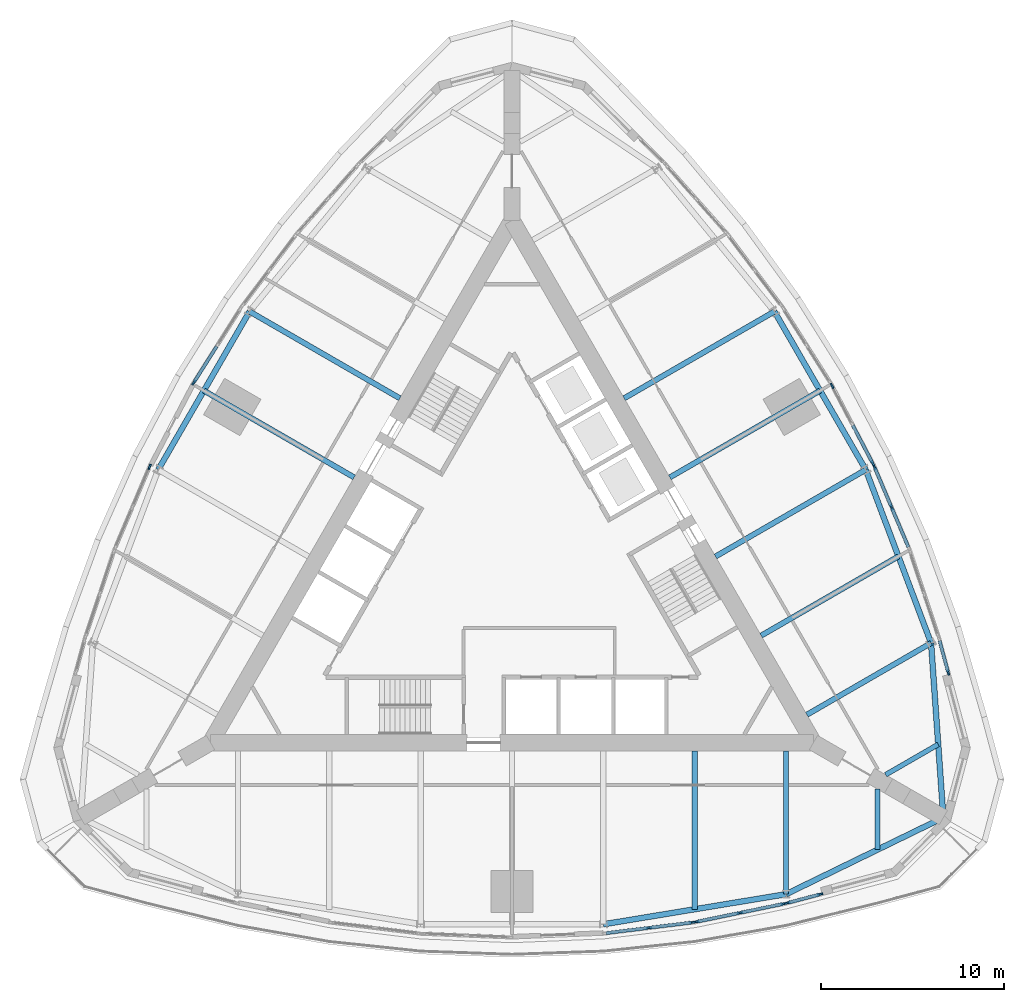
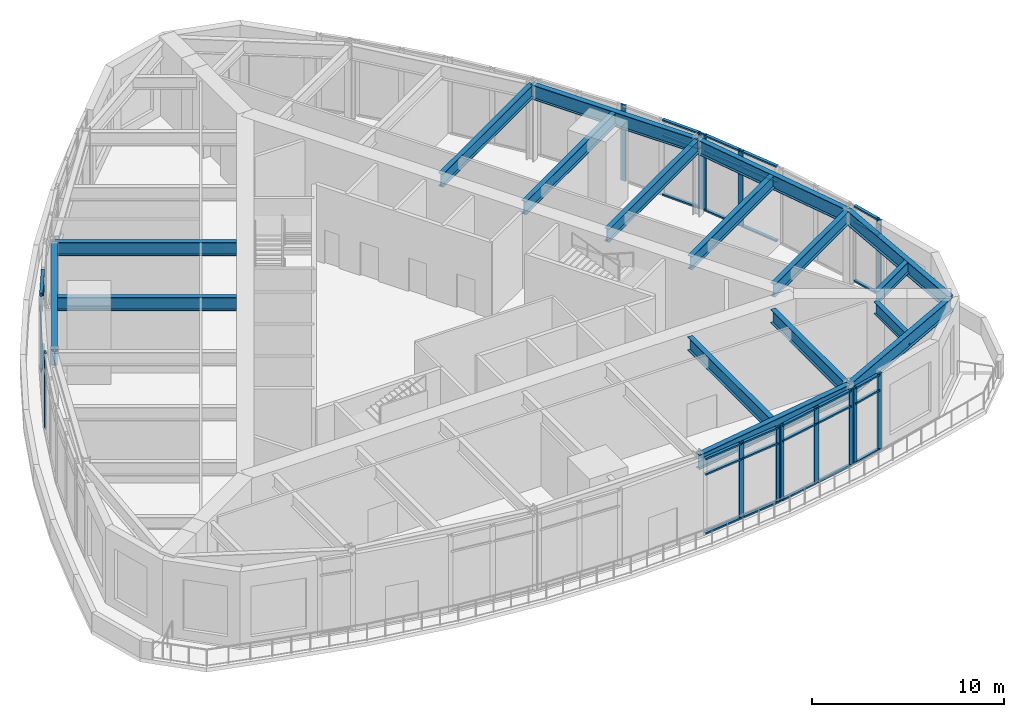
# One storey, part 3 of 13: 44 members, 17 beams, 8 elements without a shape of their own.
"""IFC4 building model written with IfcOpenShell, lengths in metres."""

from ifc_helpers import new_model, si_unit, direction, frame, origin, origin_2d, place, context, subcontext, project, spatial, rectangle, i_section, extrude, material, material_profile, profile_set, type_object, element, aggregate, save


model = new_model("IFC4")

# Units and contexts
model_context = context("Model", 3, precision=1e-05, world=origin(), true_north=direction((0.0, 1.0)))
body_context = subcontext(model_context, "Body", "Model", "MODEL_VIEW")
ifc_project = project(units=[si_unit("LENGTHUNIT", "METRE"), si_unit("AREAUNIT", "SQUARE_METRE"), si_unit("VOLUMEUNIT", "CUBIC_METRE"), si_unit("PLANEANGLEUNIT", "RADIAN"), si_unit("MASSUNIT", "GRAM", prefix="KILO")], contexts=[model_context])

# Site, building, storey
site_placement = place(None, origin())
site = spatial("IfcSite", under=ifc_project, at=site_placement, CompositionType="ELEMENT")
building_placement = place(site_placement, origin())
building = spatial("IfcBuilding", under=site, at=building_placement, Name="Trikona Tower", CompositionType="ELEMENT")
storey_placement = place(building_placement, frame((0.0, 0.0, 195.89990234375)))
storey = spatial("IfcBuildingStorey", under=building, at=storey_placement, Name="L52", CompositionType="ELEMENT", Elevation=195.89990234375)

# Curtain wall, members
ifc_material_1 = material(Name="Aluminium curtain wall system", Category="aluminium")
curtain_wall_type = type_object("IfcCurtainWallType", Name="Curtain wall SL", PredefinedType="NOTDEFINED", material=ifc_material_1)
curtain_wall_1_placement = place(storey_placement, origin())
curtain_wall_1 = element("IfcCurtainWall", 1, at=curtain_wall_1_placement, inside=storey, type_object=curtain_wall_type, Name="Curtain wall SL L52", PredefinedType="NOTDEFINED")
ifc_material_2 = material(Name="Aluminium mullion, pale anodised", Category="aluminium")
ifc_material_profile_1 = material_profile(ifc_material_2, rectangle(XDim=0.10009765625, YDim=0.300048828125, at=origin_2d()), Name="MUL-SL")
ifc_profile_set_1 = profile_set([ifc_material_profile_1], Name="Aluminium mullion, pale anodised")
member_type_1 = type_object("IfcMemberType", Name="Mullion SL 100x300", PredefinedType="MULLION", material=ifc_profile_set_1)
member_1_placement = place(storey_placement, frame((7.48779296875, -19.663818359375, 0.0), z_axis=(0.0, 0.0, 1.0), x_axis=(-0.122610640458, 0.992454850785, 0.0)))
member_1 = element("IfcMember", 2, at=member_1_placement, type_object=member_type_1, Name="CW-SL mullion 2", PredefinedType="MULLION", context=body_context, shape_type="SweptSolid", body=[
    extrude(rectangle(XDim=0.10009765625, YDim=0.300048828125, at=origin_2d()), origin(), (0.0, 0.0, 1.0), 4.835205078125),
])
member_2_placement = place(storey_placement, frame((9.878662109375, -19.36865234375, 0.0), z_axis=(0.0, 0.0, 1.0), x_axis=(-0.122610640458, 0.992454850785, 0.0)))
member_2 = element("IfcMember", 3, at=member_2_placement, type_object=member_type_1, Name="CW-SL mullion 3", PredefinedType="MULLION", context=body_context, shape_type="SweptSolid", body=[
    extrude(rectangle(XDim=0.10009765625, YDim=0.300048828125, at=origin_2d()), origin(), (0.0, 0.0, 1.0), 4.835205078125),
])

curtain_wall_2_placement = place(storey_placement, origin())
curtain_wall_2 = element("IfcCurtainWall", 4, at=curtain_wall_2_placement, inside=storey, type_object=curtain_wall_type, Name="Curtain wall SL L52", PredefinedType="NOTDEFINED")
member_3_placement = place(storey_placement, frame((10.087646484375, -19.334228515625, 0.0), z_axis=(0.0, 0.0, 1.0), x_axis=(-0.2016489585, 0.979457858989, 0.0)))
member_3 = element("IfcMember", 5, at=member_3_placement, type_object=member_type_1, Name="CW-SL mullion 1", PredefinedType="MULLION", context=body_context, shape_type="SweptSolid", body=[
    extrude(rectangle(XDim=0.10009765625, YDim=0.300048828125, at=origin_2d()), origin(), (0.0, 0.0, 1.0), 4.835205078125),
])
member_4_placement = place(storey_placement, frame((12.479736328125, -18.841796875, 0.0), z_axis=(0.0, 0.0, 1.0), x_axis=(-0.2016489585, 0.979457858989, 0.0)))
member_4 = element("IfcMember", 6, at=member_4_placement, type_object=member_type_1, Name="CW-SL mullion 2", PredefinedType="MULLION", context=body_context, shape_type="SweptSolid", body=[
    extrude(rectangle(XDim=0.10009765625, YDim=0.300048828125, at=origin_2d()), origin(), (0.0, 0.0, 1.0), 4.835205078125),
])
member_5_placement = place(storey_placement, frame((14.8720703125, -18.34912109375, 0.0), z_axis=(0.0, 0.0, 1.0), x_axis=(-0.2016489585, 0.979457858989, 0.0)))
member_5 = element("IfcMember", 7, at=member_5_placement, type_object=member_type_1, Name="CW-SL mullion 3", PredefinedType="MULLION", context=body_context, shape_type="SweptSolid", body=[
    extrude(rectangle(XDim=0.10009765625, YDim=0.300048828125, at=origin_2d()), origin(), (0.0, 0.0, 1.0), 4.835205078125),
])

curtain_wall_3_placement = place(storey_placement, origin())
curtain_wall_3 = element("IfcCurtainWall", 8, at=curtain_wall_3_placement, inside=storey, type_object=curtain_wall_type, Name="Curtain wall SL L52", PredefinedType="NOTDEFINED")
member_6_placement = place(storey_placement, frame((15.080810546875, -18.300048828125, 0.0), z_axis=(0.0, 0.0, 1.0), x_axis=(-0.25478635579, 0.966997369647, 0.0)))
member_6 = element("IfcMember", 9, at=member_6_placement, type_object=member_type_1, Name="CW-SL mullion 1", PredefinedType="MULLION", context=body_context, shape_type="SweptSolid", body=[
    extrude(rectangle(XDim=0.10009765625, YDim=0.300048828125, at=origin_2d()), origin(), (0.0, 0.0, 1.0), 4.835205078125),
])
member_7_placement = place(storey_placement, frame((16.8681640625, -17.829345703125, 0.0), z_axis=(0.0, 0.0, 1.0), x_axis=(-0.25478635579, 0.966997369647, 0.0)))
member_7 = element("IfcMember", 10, at=member_7_placement, type_object=member_type_1, Name="CW-SL mullion 2", PredefinedType="MULLION", context=body_context, shape_type="SweptSolid", body=[
    extrude(rectangle(XDim=0.10009765625, YDim=0.300048828125, at=origin_2d()), origin(), (0.0, 0.0, 1.0), 4.835205078125),
])

# Curtain wall, member
curtain_wall_4_placement = place(storey_placement, origin())
curtain_wall_4 = element("IfcCurtainWall", 11, at=curtain_wall_4_placement, inside=storey, type_object=curtain_wall_type, Name="Curtain wall SL L52", PredefinedType="NOTDEFINED")
member_8_placement = place(storey_placement, frame((23.87451171875, -5.693603515625, 0.0), z_axis=(0.0, 0.0, 1.0), x_axis=(-0.964851419019, -0.262796003047, 0.0)))
member_8 = element("IfcMember", 12, at=member_8_placement, type_object=member_type_1, Name="CW-SL mullion 1", PredefinedType="MULLION", context=body_context, shape_type="SweptSolid", body=[
    extrude(rectangle(XDim=0.10009765625, YDim=0.300048828125, at=origin_2d()), origin(), (0.0, 0.0, 1.0), 4.835205078125),
])

# Curtain wall, members
curtain_wall_5_placement = place(storey_placement, origin())
curtain_wall_5 = element("IfcCurtainWall", 13, at=curtain_wall_5_placement, inside=storey, type_object=curtain_wall_type, Name="Curtain wall SL L52", PredefinedType="NOTDEFINED")
member_9_placement = place(storey_placement, frame((20.773193359375, 3.347412109375, 0.0), z_axis=(0.0, 0.0, 1.0), x_axis=(-0.920792322808, -0.390053199266, 0.0)))
member_9 = element("IfcMember", 14, at=member_9_placement, type_object=member_type_1, Name="CW-SL mullion 2", PredefinedType="MULLION", context=body_context, shape_type="SweptSolid", body=[
    extrude(rectangle(XDim=0.10009765625, YDim=0.300048828125, at=origin_2d()), origin(), (0.0, 0.0, 1.0), 4.835205078125),
])
member_10_placement = place(storey_placement, frame((19.83349609375, 5.565673828125, 0.0), z_axis=(0.0, 0.0, 1.0), x_axis=(-0.920792322808, -0.390053199266, 0.0)))
member_10 = element("IfcMember", 15, at=member_10_placement, type_object=member_type_1, Name="CW-SL mullion 3", PredefinedType="MULLION", context=body_context, shape_type="SweptSolid", body=[
    extrude(rectangle(XDim=0.10009765625, YDim=0.300048828125, at=origin_2d()), origin(), (0.0, 0.0, 1.0), 4.835205078125),
])

curtain_wall_6_placement = place(storey_placement, origin())
curtain_wall_6 = element("IfcCurtainWall", 16, at=curtain_wall_6_placement, inside=storey, type_object=curtain_wall_type, Name="Curtain wall SL L52", PredefinedType="NOTDEFINED")
member_11_placement = place(storey_placement, frame((19.7431640625, 5.757080078125, 0.0), z_axis=(0.0, 0.0, 1.0), x_axis=(-0.885862390527, -0.463948084434, 0.0)))
member_11 = element("IfcMember", 17, at=member_11_placement, type_object=member_type_1, Name="CW-SL mullion 1", PredefinedType="MULLION", context=body_context, shape_type="SweptSolid", body=[
    extrude(rectangle(XDim=0.10009765625, YDim=0.300048828125, at=origin_2d()), origin(), (0.0, 0.0, 1.0), 4.835205078125),
])
member_12_placement = place(storey_placement, frame((17.523681640625, 9.9951171875, 0.0), z_axis=(0.0, 0.0, 1.0), x_axis=(-0.885862390527, -0.463948084434, 0.0)))
member_12 = element("IfcMember", 18, at=member_12_placement, type_object=member_type_1, Name="CW-SL mullion 3", PredefinedType="MULLION", context=body_context, shape_type="SweptSolid", body=[
    extrude(rectangle(XDim=0.10009765625, YDim=0.300048828125, at=origin_2d()), origin(), (0.0, 0.0, 1.0), 4.835205078125),
])

# Curtain wall, member
curtain_wall_7_placement = place(storey_placement, origin())
curtain_wall_7 = element("IfcCurtainWall", 19, at=curtain_wall_7_placement, inside=storey, type_object=curtain_wall_type, Name="Curtain wall SL L52", PredefinedType="NOTDEFINED")
member_13_placement = place(storey_placement, frame((-17.417724609375, 10.17822265625, 0.0), z_axis=(0.0, 0.0, 1.0), x_axis=(0.84471787551, -0.535211837308, 0.0)))
member_13 = element("IfcMember", 20, at=member_13_placement, type_object=member_type_1, Name="CW-SL mullion 3", PredefinedType="MULLION", context=body_context, shape_type="SweptSolid", body=[
    extrude(rectangle(XDim=0.10009765625, YDim=0.300048828125, at=origin_2d()), origin(), (0.0, 0.0, 1.0), 4.835205078125),
])

curtain_wall_8_placement = place(storey_placement, origin())
curtain_wall_8 = element("IfcCurtainWall", 21, at=curtain_wall_8_placement, inside=storey, type_object=curtain_wall_type, Name="Curtain wall SL L52", PredefinedType="NOTDEFINED")
member_14_placement = place(storey_placement, frame((-19.83349609375, 5.565673828125, 0.0), z_axis=(0.0, 0.0, 1.0), x_axis=(0.920792322808, -0.390053199266, 0.0)))
member_14 = element("IfcMember", 22, at=member_14_placement, type_object=member_type_1, Name="CW-SL mullion 1", PredefinedType="MULLION", context=body_context, shape_type="SweptSolid", body=[
    extrude(rectangle(XDim=0.10009765625, YDim=0.300048828125, at=origin_2d()), origin(), (0.0, 0.0, 1.0), 4.835205078125),
])
aggregate(curtain_wall_8, [member_14])

# Beams
ifc_material_3 = material(Name="Steel ASTM A992 Grade 50", Category="steel")
ifc_material_profile_2 = material_profile(ifc_material_3, i_section(OverallWidth=0.2666015625, OverallDepth=0.76953125, WebThickness=0.015625, FlangeThickness=0.025390625, at=origin_2d()), Name="W30X132")
ifc_profile_set_2 = profile_set([ifc_material_profile_2], Name="Steel ASTM A992 Grade 50")
beam_type_1 = type_object("IfcBeamType", Name="Steel beam W30x132 (wedge)", PredefinedType="BEAM", material=ifc_profile_set_2)
beam_1_placement = place(storey_placement, frame((20.0, -12.066650390625, 4.4501953125), z_axis=(0.0, -1.0, 0.0), x_axis=(1.0, 0.0, 0.0)))
element("IfcBeam", 23, at=beam_1_placement, inside=storey, type_object=beam_type_1, Name="Floor beam L53 F1 u20", PredefinedType="BEAM", context=body_context, shape_type="SweptSolid", body=[
    extrude(i_section(OverallWidth=0.2666015625, OverallDepth=0.76953125, WebThickness=0.015625, FlangeThickness=0.025390625, at=origin_2d()), origin(), (0.0, 0.0, 1.0), 3.322998046875),
])
beam_2_placement = place(storey_placement, frame((20.449951171875, -11.287109375, 4.4501953125), z_axis=(0.866019199568, 0.500010745865, 0.0), x_axis=(-0.500010745865, 0.866019199568, 0.0)))
element("IfcBeam", 24, at=beam_2_placement, inside=storey, type_object=beam_type_1, Name="Floor beam L53 F2 u-20", PredefinedType="BEAM", context=body_context, shape_type="SweptSolid", body=[
    extrude(i_section(OverallWidth=0.2666015625, OverallDepth=0.76953125, WebThickness=0.015625, FlangeThickness=0.025390625, at=origin_2d()), origin(), (0.0, 0.0, 1.0), 3.3232421875),
])
ifc_material_4 = material(Name="Steel ASTM A992 Grade 50", Category="steel")
ifc_material_profile_3 = material_profile(ifc_material_4, i_section(OverallWidth=0.2919921875, OverallDepth=0.845703125, WebThickness=0.015380859375, FlangeThickness=0.0244140625, at=origin_2d()), Name="W33X141")
ifc_profile_set_3 = profile_set([ifc_material_profile_3], Name="Steel ASTM A992 Grade 50")
beam_type_2 = type_object("IfcBeamType", Name="Steel beam W33x141 (radial typ)", PredefinedType="BEAM", material=ifc_profile_set_3)
beam_3_placement = place(storey_placement, frame((10.0, -9.976318359375, 4.412109375), z_axis=(0.0, -1.0, 0.0), x_axis=(1.0, 0.0, 0.0)))
element("IfcBeam", 25, at=beam_3_placement, inside=storey, type_object=beam_type_2, Name="Floor beam L53 F1 u10", PredefinedType="BEAM", context=body_context, shape_type="SweptSolid", body=[
    extrude(i_section(OverallWidth=0.2919921875, OverallDepth=0.845703125, WebThickness=0.015380859375, FlangeThickness=0.0244140625, at=origin_2d()), origin(), (0.0, 0.0, 1.0), 8.672119140625),
])
for number, where, z_axis, x_axis, name in (
    (26, (15.0, -9.976318359375, 4.412109375), (0.0, -1.0, 0.0), (1.0, 0.0, 0.0), "Floor beam L53 F1 u15"),
    (27, (16.1396484375, -8.002197265625, 4.412109375), (0.866025522914, 0.499999793661, 0.0), (-0.499999793661, 0.866025522914, 0.0), "Floor beam L53 F2 u-15"),
):
    element("IfcBeam", number, at=place(storey_placement, frame(where, z_axis=z_axis, x_axis=x_axis)), inside=storey, type_object=beam_type_2, Name=name, PredefinedType="BEAM", context=body_context, shape_type="SweptSolid", body=[
        extrude(i_section(OverallWidth=0.2919921875, OverallDepth=0.845703125, WebThickness=0.015380859375, FlangeThickness=0.0244140625, at=origin_2d()), origin(), (0.0, 0.0, 1.0), 7.8486328125),
    ])
beam_4_placement = place(storey_placement, frame((13.6396484375, -3.672119140625, 4.412109375), z_axis=(0.866018686634, 0.500011634266, 0.0), x_axis=(-0.500011634266, 0.866018686634, 0.0)))
element("IfcBeam", 28, at=beam_4_placement, inside=storey, type_object=beam_type_2, Name="Floor beam L53 F2 u-10", PredefinedType="BEAM", context=body_context, shape_type="SweptSolid", body=[
    extrude(i_section(OverallWidth=0.2919921875, OverallDepth=0.845703125, WebThickness=0.015380859375, FlangeThickness=0.0244140625, at=origin_2d()), origin(), (0.0, 0.0, 1.0), 8.672119140625),
])
for number, where, z_axis, x_axis, name in (
    (29, (11.1396484375, 0.657958984375, 4.412109375), (0.866019464008, 0.500010287853, 0.0), (-0.500010287853, 0.866019464008, 0.0), "Floor beam L53 F2 u-5"),
    (30, (8.6396484375, 4.988037109375, 4.412109375), (0.866019464008, 0.500010287853, 0.0), (-0.500010287853, 0.866019464008, 0.0), "Floor beam L53 F2 u0"),
    (31, (6.1396484375, 9.318359375, 4.412109375), (0.866030596895, 0.49999100516, 0.0), (-0.49999100516, 0.866030596895, 0.0), "Floor beam L53 F2 u5"),
    (32, (-6.1396484375, 9.318359375, 4.412109375), (-0.866030596895, 0.49999100516, 0.0), (-0.49999100516, -0.866030596895, 0.0), "Floor beam L53 F3 u-5"),
    (33, (-8.6396484375, 4.988037109375, 4.412109375), (-0.866019464008, 0.500010287853, 0.0), (-0.500010287853, -0.866019464008, 0.0), "Floor beam L53 F3 u0"),
):
    element("IfcBeam", number, at=place(storey_placement, frame(where, z_axis=z_axis, x_axis=x_axis)), inside=storey, type_object=beam_type_2, Name=name, PredefinedType="BEAM", context=body_context, shape_type="SweptSolid", body=[
        extrude(i_section(OverallWidth=0.2919921875, OverallDepth=0.845703125, WebThickness=0.015380859375, FlangeThickness=0.0244140625, at=origin_2d()), origin(), (0.0, 0.0, 1.0), 9.495849609375),
    ])
ifc_material_5 = material(Name="Steel ASTM A992 Grade 50", Category="steel")
ifc_material_profile_4 = material_profile(ifc_material_5, i_section(OverallWidth=0.307373046875, OverallDepth=0.922119140625, WebThickness=0.018310546875, FlangeThickness=0.030029296875, at=origin_2d()), Name="W36X182")
ifc_profile_set_4 = profile_set([ifc_material_profile_4], Name="Steel ASTM A992 Grade 50")
beam_type_3 = type_object("IfcBeamType", Name="Steel beam W36x182 (spandrel mid)", PredefinedType="SPANDREL", material=ifc_profile_set_4)
beam_5_placement = place(storey_placement, frame((5.0, -19.471923828125, 4.3740234375), z_axis=(0.986707228918, 0.162507982575, 0.0), x_axis=(-0.162507982575, 0.986707228918, 0.0)))
element("IfcBeam", 34, at=beam_5_placement, inside=storey, type_object=beam_type_3, Name="Spandrel beam L53 F1-4", PredefinedType="SPANDREL", context=body_context, shape_type="SweptSolid", body=[
    extrude(i_section(OverallWidth=0.307373046875, OverallDepth=0.922119140625, WebThickness=0.018310546875, FlangeThickness=0.030029296875, at=origin_2d()), origin(), (0.0, 0.0, 1.0), 10.134765625),
])
beam_6_placement = place(storey_placement, frame((15.0, -17.824951171875, 4.3740234375), z_axis=(0.899038503257, 0.437869580652, 0.0), x_axis=(-0.437869580652, 0.899038503257, 0.0)))
element("IfcBeam", 35, at=beam_6_placement, inside=storey, type_object=beam_type_3, Name="Spandrel beam L53 F1-5", PredefinedType="SPANDREL", context=body_context, shape_type="SweptSolid", body=[
    extrude(i_section(OverallWidth=0.307373046875, OverallDepth=0.922119140625, WebThickness=0.018310546875, FlangeThickness=0.030029296875, at=origin_2d()), origin(), (0.0, 0.0, 1.0), 9.577392578125),
])
beam_7_placement = place(storey_placement, frame((23.6103515625, -13.63134765625, 4.3740234375), z_axis=(-0.07033215835, 0.997523627541, 0.0), x_axis=(-0.997523627541, -0.07033215835, 0.0)))
element("IfcBeam", 36, at=beam_7_placement, inside=storey, type_object=beam_type_3, Name="Spandrel beam L53 F2-1", PredefinedType="SPANDREL", context=body_context, shape_type="SweptSolid", body=[
    extrude(i_section(OverallWidth=0.307373046875, OverallDepth=0.922119140625, WebThickness=0.018310546875, FlangeThickness=0.030029296875, at=origin_2d()), origin(), (0.0, 0.0, 1.0), 9.5771484375),
])
beam_8_placement = place(storey_placement, frame((22.936767578125, -4.077880859375, 4.3740234375), z_axis=(-0.352596088442, 0.935775613283, 0.0), x_axis=(-0.935775613283, -0.352596088442, 0.0)))
element("IfcBeam", 37, at=beam_8_placement, inside=storey, type_object=beam_type_3, Name="Spandrel beam L53 F2-2", PredefinedType="SPANDREL", context=body_context, shape_type="SweptSolid", body=[
    extrude(i_section(OverallWidth=0.307373046875, OverallDepth=0.922119140625, WebThickness=0.018310546875, FlangeThickness=0.030029296875, at=origin_2d()), origin(), (0.0, 0.0, 1.0), 10.134765625),
])
for number, where, z_axis, x_axis, name in (
    (38, (19.36328125, 5.406005859375, 4.3740234375), (-0.500004234368, 0.866022959057, 0.0), (-0.866022959057, -0.500004234368, 0.0), "Spandrel beam L53 F2-3"),
    (39, (-14.36328125, 14.066162109375, 4.3740234375), (-0.500004234368, -0.866022959057, 0.0), (0.866022959057, -0.500004234368, 0.0), "Spandrel beam L53 F3-3"),
):
    element("IfcBeam", number, at=place(storey_placement, frame(where, z_axis=z_axis, x_axis=x_axis)), inside=storey, type_object=beam_type_3, Name=name, PredefinedType="SPANDREL", context=body_context, shape_type="SweptSolid", body=[
        extrude(i_section(OverallWidth=0.307373046875, OverallDepth=0.922119140625, WebThickness=0.018310546875, FlangeThickness=0.030029296875, at=origin_2d()), origin(), (0.0, 0.0, 1.0), 10.0),
    ])

# Member
ifc_material_6 = material(Name="Aluminium transom, pale anodised", Category="aluminium")
ifc_material_profile_5 = material_profile(ifc_material_6, rectangle(XDim=0.179931640625, YDim=0.10009765625, at=origin_2d()), Name="TRN-SL")
ifc_profile_set_5 = profile_set([ifc_material_profile_5], Name="Aluminium transom, pale anodised")
member_type_2 = type_object("IfcMemberType", Name="Transom SL 100x180", PredefinedType="USERDEFINED", material=ifc_profile_set_5)
member_15_placement = place(storey_placement, frame((5.146484375, -19.953125, 0.050048828125), z_axis=(0.99245094131, 0.122642281018, 0.0), x_axis=(-0.122642281018, 0.99245094131, 0.0)))
member_15 = element("IfcMember", 40, at=member_15_placement, type_object=member_type_2, Name="CW-SL transom 1.1", ObjectType="TRANSOM", PredefinedType="USERDEFINED", context=body_context, shape_type="SweptSolid", body=[
    extrude(rectangle(XDim=0.179931640625, YDim=0.10009765625, at=origin_2d()), origin(), (0.0, 0.0, 1.0), 2.30908203125),
])

member_16_placement = place(storey_placement, frame((5.146484375, -19.953125, 3.800048828125), z_axis=(0.99245094131, 0.122642281018, 0.0), x_axis=(-0.122642281018, 0.99245094131, 0.0)))
member_16 = element("IfcMember", 41, at=member_16_placement, type_object=member_type_2, Name="CW-SL transom 1.2", ObjectType="TRANSOM", PredefinedType="USERDEFINED", context=body_context, shape_type="SweptSolid", body=[
    extrude(rectangle(XDim=0.179931640625, YDim=0.10009765625, at=origin_2d()), origin(), (0.0, 0.0, 1.0), 2.30908203125),
])

member_17_placement = place(storey_placement, frame((5.146484375, -19.953125, 4.78515625), z_axis=(0.99245094131, 0.122642281018, 0.0), x_axis=(-0.122642281018, 0.99245094131, 0.0)))
member_17 = element("IfcMember", 42, at=member_17_placement, type_object=member_type_2, Name="CW-SL transom 1.3", ObjectType="TRANSOM", PredefinedType="USERDEFINED", context=body_context, shape_type="SweptSolid", body=[
    extrude(rectangle(XDim=0.179931640625, YDim=0.10009765625, at=origin_2d()), origin(), (0.0, 0.0, 1.0), 2.30908203125),
])

member_18_placement = place(storey_placement, frame((7.537353515625, -19.65771484375, 0.050048828125), z_axis=(0.992462216808, 0.12255100248, 0.0), x_axis=(-0.12255100248, 0.992462216808, 0.0)))
member_18 = element("IfcMember", 43, at=member_18_placement, type_object=member_type_2, Name="CW-SL transom 2.1", ObjectType="TRANSOM", PredefinedType="USERDEFINED", context=body_context, shape_type="SweptSolid", body=[
    extrude(rectangle(XDim=0.179931640625, YDim=0.10009765625, at=origin_2d()), origin(), (0.0, 0.0, 1.0), 2.308837890625),
])

member_19_placement = place(storey_placement, frame((7.537353515625, -19.65771484375, 3.800048828125), z_axis=(0.992462216808, 0.12255100248, 0.0), x_axis=(-0.12255100248, 0.992462216808, 0.0)))
member_19 = element("IfcMember", 44, at=member_19_placement, type_object=member_type_2, Name="CW-SL transom 2.2", ObjectType="TRANSOM", PredefinedType="USERDEFINED", context=body_context, shape_type="SweptSolid", body=[
    extrude(rectangle(XDim=0.179931640625, YDim=0.10009765625, at=origin_2d()), origin(), (0.0, 0.0, 1.0), 2.308837890625),
])

member_20_placement = place(storey_placement, frame((7.537353515625, -19.65771484375, 4.78515625), z_axis=(0.992462216808, 0.12255100248, 0.0), x_axis=(-0.12255100248, 0.992462216808, 0.0)))
member_20 = element("IfcMember", 45, at=member_20_placement, type_object=member_type_2, Name="CW-SL transom 2.3", ObjectType="TRANSOM", PredefinedType="USERDEFINED", context=body_context, shape_type="SweptSolid", body=[
    extrude(rectangle(XDim=0.179931640625, YDim=0.10009765625, at=origin_2d()), origin(), (0.0, 0.0, 1.0), 2.308837890625),
])

aggregate(curtain_wall_1, [member_1, member_2, member_15, member_16, member_17, member_18, member_19, member_20])

member_21_placement = place(storey_placement, frame((10.136474609375, -19.32421875, 0.050048828125), z_axis=(0.979454621489, 0.201664683186, 0.0), x_axis=(-0.201664683186, 0.979454621489, 0.0)))
member_21 = element("IfcMember", 46, at=member_21_placement, type_object=member_type_2, Name="CW-SL transom 1.1", ObjectType="TRANSOM", PredefinedType="USERDEFINED", context=body_context, shape_type="SweptSolid", body=[
    extrude(rectangle(XDim=0.179931640625, YDim=0.10009765625, at=origin_2d()), origin(), (0.0, 0.0, 1.0), 2.342529296875),
])

member_22_placement = place(storey_placement, frame((10.136474609375, -19.32421875, 3.800048828125), z_axis=(0.979454621489, 0.201664683186, 0.0), x_axis=(-0.201664683186, 0.979454621489, 0.0)))
member_22 = element("IfcMember", 47, at=member_22_placement, type_object=member_type_2, Name="CW-SL transom 1.2", ObjectType="TRANSOM", PredefinedType="USERDEFINED", context=body_context, shape_type="SweptSolid", body=[
    extrude(rectangle(XDim=0.179931640625, YDim=0.10009765625, at=origin_2d()), origin(), (0.0, 0.0, 1.0), 2.342529296875),
])

member_23_placement = place(storey_placement, frame((10.136474609375, -19.32421875, 4.78515625), z_axis=(0.979454621489, 0.201664683186, 0.0), x_axis=(-0.201664683186, 0.979454621489, 0.0)))
member_23 = element("IfcMember", 48, at=member_23_placement, type_object=member_type_2, Name="CW-SL transom 1.3", ObjectType="TRANSOM", PredefinedType="USERDEFINED", context=body_context, shape_type="SweptSolid", body=[
    extrude(rectangle(XDim=0.179931640625, YDim=0.10009765625, at=origin_2d()), origin(), (0.0, 0.0, 1.0), 2.342529296875),
])

member_24_placement = place(storey_placement, frame((12.52880859375, -18.83154296875, 0.050048828125), z_axis=(0.979475202395, 0.201564699025, 0.0), x_axis=(-0.201564699025, 0.979475202395, 0.0)))
member_24 = element("IfcMember", 49, at=member_24_placement, type_object=member_type_2, Name="CW-SL transom 2.1", ObjectType="TRANSOM", PredefinedType="USERDEFINED", context=body_context, shape_type="SweptSolid", body=[
    extrude(rectangle(XDim=0.179931640625, YDim=0.10009765625, at=origin_2d()), origin(), (0.0, 0.0, 1.0), 2.342529296875),
])

member_25_placement = place(storey_placement, frame((12.52880859375, -18.83154296875, 3.800048828125), z_axis=(0.979475202395, 0.201564699025, 0.0), x_axis=(-0.201564699025, 0.979475202395, 0.0)))
member_25 = element("IfcMember", 50, at=member_25_placement, type_object=member_type_2, Name="CW-SL transom 2.2", ObjectType="TRANSOM", PredefinedType="USERDEFINED", context=body_context, shape_type="SweptSolid", body=[
    extrude(rectangle(XDim=0.179931640625, YDim=0.10009765625, at=origin_2d()), origin(), (0.0, 0.0, 1.0), 2.342529296875),
])

member_26_placement = place(storey_placement, frame((12.52880859375, -18.83154296875, 4.78515625), z_axis=(0.979475202395, 0.201564699025, 0.0), x_axis=(-0.201564699025, 0.979475202395, 0.0)))
member_26 = element("IfcMember", 51, at=member_26_placement, type_object=member_type_2, Name="CW-SL transom 2.3", ObjectType="TRANSOM", PredefinedType="USERDEFINED", context=body_context, shape_type="SweptSolid", body=[
    extrude(rectangle(XDim=0.179931640625, YDim=0.10009765625, at=origin_2d()), origin(), (0.0, 0.0, 1.0), 2.342529296875),
])

aggregate(curtain_wall_2, [member_3, member_4, member_5, member_21, member_22, member_23, member_24, member_25, member_26])

member_27_placement = place(storey_placement, frame((15.129150390625, -18.287353515625, 0.050048828125), z_axis=(0.967018440068, 0.25470637324, 0.0), x_axis=(-0.25470637324, 0.967018440068, 0.0)))
member_27 = element("IfcMember", 52, at=member_27_placement, type_object=member_type_2, Name="CW-SL transom 1.1", ObjectType="TRANSOM", PredefinedType="USERDEFINED", context=body_context, shape_type="SweptSolid", body=[
    extrude(rectangle(XDim=0.179931640625, YDim=0.10009765625, at=origin_2d()), origin(), (0.0, 0.0, 1.0), 1.748291015625),
])

member_28_placement = place(storey_placement, frame((15.129150390625, -18.287353515625, 3.800048828125), z_axis=(0.967018440068, 0.25470637324, 0.0), x_axis=(-0.25470637324, 0.967018440068, 0.0)))
member_28 = element("IfcMember", 53, at=member_28_placement, type_object=member_type_2, Name="CW-SL transom 1.2", ObjectType="TRANSOM", PredefinedType="USERDEFINED", context=body_context, shape_type="SweptSolid", body=[
    extrude(rectangle(XDim=0.179931640625, YDim=0.10009765625, at=origin_2d()), origin(), (0.0, 0.0, 1.0), 1.748291015625),
])

member_29_placement = place(storey_placement, frame((15.129150390625, -18.287353515625, 4.78515625), z_axis=(0.967018440068, 0.25470637324, 0.0), x_axis=(-0.25470637324, 0.967018440068, 0.0)))
member_29 = element("IfcMember", 54, at=member_29_placement, type_object=member_type_2, Name="CW-SL transom 1.3", ObjectType="TRANSOM", PredefinedType="USERDEFINED", context=body_context, shape_type="SweptSolid", body=[
    extrude(rectangle(XDim=0.179931640625, YDim=0.10009765625, at=origin_2d()), origin(), (0.0, 0.0, 1.0), 1.748291015625),
])

aggregate(curtain_wall_3, [member_6, member_7, member_27, member_28, member_29])

member_30_placement = place(storey_placement, frame((23.861328125, -5.6455078125, 0.050048828125), z_axis=(-0.262656574771, 0.964889384194, 0.0), x_axis=(-0.964889384194, -0.262656574771, 0.0)))
member_30 = element("IfcMember", 55, at=member_30_placement, type_object=member_type_2, Name="CW-SL transom 1.1", ObjectType="TRANSOM", PredefinedType="USERDEFINED", context=body_context, shape_type="SweptSolid", body=[
    extrude(rectangle(XDim=0.179931640625, YDim=0.10009765625, at=origin_2d()), origin(), (0.0, 0.0, 1.0), 1.748291015625),
])

member_31_placement = place(storey_placement, frame((23.861328125, -5.6455078125, 3.800048828125), z_axis=(-0.262656574771, 0.964889384194, 0.0), x_axis=(-0.964889384194, -0.262656574771, 0.0)))
member_31 = element("IfcMember", 56, at=member_31_placement, type_object=member_type_2, Name="CW-SL transom 1.2", ObjectType="TRANSOM", PredefinedType="USERDEFINED", context=body_context, shape_type="SweptSolid", body=[
    extrude(rectangle(XDim=0.179931640625, YDim=0.10009765625, at=origin_2d()), origin(), (0.0, 0.0, 1.0), 1.748291015625),
])

member_32_placement = place(storey_placement, frame((23.861328125, -5.6455078125, 4.78515625), z_axis=(-0.262656574771, 0.964889384194, 0.0), x_axis=(-0.964889384194, -0.262656574771, 0.0)))
member_32 = element("IfcMember", 57, at=member_32_placement, type_object=member_type_2, Name="CW-SL transom 1.3", ObjectType="TRANSOM", PredefinedType="USERDEFINED", context=body_context, shape_type="SweptSolid", body=[
    extrude(rectangle(XDim=0.179931640625, YDim=0.10009765625, at=origin_2d()), origin(), (0.0, 0.0, 1.0), 1.748291015625),
])

aggregate(curtain_wall_4, [member_8, member_30, member_31, member_32])

member_33_placement = place(storey_placement, frame((21.693359375, 1.17529296875, 0.050048828125), z_axis=(-0.390074582319, 0.920783264525, 0.0), x_axis=(-0.920783264525, -0.390074582319, 0.0)))
member_33 = element("IfcMember", 58, at=member_33_placement, type_object=member_type_2, Name="CW-SL transom 1.1", ObjectType="TRANSOM", PredefinedType="USERDEFINED", context=body_context, shape_type="SweptSolid", body=[
    extrude(rectangle(XDim=0.179931640625, YDim=0.10009765625, at=origin_2d()), origin(), (0.0, 0.0, 1.0), 2.308837890625),
])

member_34_placement = place(storey_placement, frame((21.693359375, 1.17529296875, 3.800048828125), z_axis=(-0.390074582319, 0.920783264525, 0.0), x_axis=(-0.920783264525, -0.390074582319, 0.0)))
member_34 = element("IfcMember", 59, at=member_34_placement, type_object=member_type_2, Name="CW-SL transom 1.2", ObjectType="TRANSOM", PredefinedType="USERDEFINED", context=body_context, shape_type="SweptSolid", body=[
    extrude(rectangle(XDim=0.179931640625, YDim=0.10009765625, at=origin_2d()), origin(), (0.0, 0.0, 1.0), 2.308837890625),
])

member_35_placement = place(storey_placement, frame((21.693359375, 1.17529296875, 4.78515625), z_axis=(-0.390074582319, 0.920783264525, 0.0), x_axis=(-0.920783264525, -0.390074582319, 0.0)))
member_35 = element("IfcMember", 60, at=member_35_placement, type_object=member_type_2, Name="CW-SL transom 1.3", ObjectType="TRANSOM", PredefinedType="USERDEFINED", context=body_context, shape_type="SweptSolid", body=[
    extrude(rectangle(XDim=0.179931640625, YDim=0.10009765625, at=origin_2d()), origin(), (0.0, 0.0, 1.0), 2.308837890625),
])

member_36_placement = place(storey_placement, frame((20.753662109375, 3.393310546875, 0.050048828125), z_axis=(-0.390036606637, 0.92079935137, 0.0), x_axis=(-0.92079935137, -0.390036606637, 0.0)))
member_36 = element("IfcMember", 61, at=member_36_placement, type_object=member_type_2, Name="CW-SL transom 2.1", ObjectType="TRANSOM", PredefinedType="USERDEFINED", context=body_context, shape_type="SweptSolid", body=[
    extrude(rectangle(XDim=0.179931640625, YDim=0.10009765625, at=origin_2d()), origin(), (0.0, 0.0, 1.0), 2.30908203125),
])

member_37_placement = place(storey_placement, frame((20.753662109375, 3.393310546875, 3.800048828125), z_axis=(-0.390036606637, 0.92079935137, 0.0), x_axis=(-0.92079935137, -0.390036606637, 0.0)))
member_37 = element("IfcMember", 62, at=member_37_placement, type_object=member_type_2, Name="CW-SL transom 2.2", ObjectType="TRANSOM", PredefinedType="USERDEFINED", context=body_context, shape_type="SweptSolid", body=[
    extrude(rectangle(XDim=0.179931640625, YDim=0.10009765625, at=origin_2d()), origin(), (0.0, 0.0, 1.0), 2.30908203125),
])

member_38_placement = place(storey_placement, frame((20.753662109375, 3.393310546875, 4.78515625), z_axis=(-0.390036606637, 0.92079935137, 0.0), x_axis=(-0.92079935137, -0.390036606637, 0.0)))
member_38 = element("IfcMember", 63, at=member_38_placement, type_object=member_type_2, Name="CW-SL transom 2.3", ObjectType="TRANSOM", PredefinedType="USERDEFINED", context=body_context, shape_type="SweptSolid", body=[
    extrude(rectangle(XDim=0.179931640625, YDim=0.10009765625, at=origin_2d()), origin(), (0.0, 0.0, 1.0), 2.30908203125),
])

aggregate(curtain_wall_5, [member_9, member_10, member_33, member_34, member_35, member_36, member_37, member_38])

member_39_placement = place(storey_placement, frame((19.719970703125, 5.80126953125, 0.050048828125), z_axis=(-0.463963214549, 0.885854466346, 0.0), x_axis=(-0.885854466346, -0.463963214549, 0.0)))
member_39 = element("IfcMember", 64, at=member_39_placement, type_object=member_type_2, Name="CW-SL transom 1.1", ObjectType="TRANSOM", PredefinedType="USERDEFINED", context=body_context, shape_type="SweptSolid", body=[
    extrude(rectangle(XDim=0.179931640625, YDim=0.10009765625, at=origin_2d()), origin(), (0.0, 0.0, 1.0), 2.292236328125),
])

member_40_placement = place(storey_placement, frame((19.719970703125, 5.80126953125, 3.800048828125), z_axis=(-0.463963214549, 0.885854466346, 0.0), x_axis=(-0.885854466346, -0.463963214549, 0.0)))
member_40 = element("IfcMember", 65, at=member_40_placement, type_object=member_type_2, Name="CW-SL transom 1.2", ObjectType="TRANSOM", PredefinedType="USERDEFINED", context=body_context, shape_type="SweptSolid", body=[
    extrude(rectangle(XDim=0.179931640625, YDim=0.10009765625, at=origin_2d()), origin(), (0.0, 0.0, 1.0), 2.292236328125),
])

member_41_placement = place(storey_placement, frame((19.719970703125, 5.80126953125, 4.78515625), z_axis=(-0.463963214549, 0.885854466346, 0.0), x_axis=(-0.885854466346, -0.463963214549, 0.0)))
member_41 = element("IfcMember", 66, at=member_41_placement, type_object=member_type_2, Name="CW-SL transom 1.3", ObjectType="TRANSOM", PredefinedType="USERDEFINED", context=body_context, shape_type="SweptSolid", body=[
    extrude(rectangle(XDim=0.179931640625, YDim=0.10009765625, at=origin_2d()), origin(), (0.0, 0.0, 1.0), 2.292236328125),
])

aggregate(curtain_wall_6, [member_11, member_12, member_39, member_40, member_41])

member_42_placement = place(storey_placement, frame((-16.164306640625, 12.15673828125, 0.050048828125), z_axis=(-0.535130634633, -0.844769319919, 0.0), x_axis=(0.844769319919, -0.535130634633, 0.0)))
member_42 = element("IfcMember", 67, at=member_42_placement, type_object=member_type_2, Name="CW-SL transom 2.1", ObjectType="TRANSOM", PredefinedType="USERDEFINED", context=body_context, shape_type="SweptSolid", body=[
    extrude(rectangle(XDim=0.179931640625, YDim=0.10009765625, at=origin_2d()), origin(), (0.0, 0.0, 1.0), 2.2919921875),
])

member_43_placement = place(storey_placement, frame((-16.164306640625, 12.15673828125, 3.800048828125), z_axis=(-0.535130634633, -0.844769319919, 0.0), x_axis=(0.844769319919, -0.535130634633, 0.0)))
member_43 = element("IfcMember", 68, at=member_43_placement, type_object=member_type_2, Name="CW-SL transom 2.2", ObjectType="TRANSOM", PredefinedType="USERDEFINED", context=body_context, shape_type="SweptSolid", body=[
    extrude(rectangle(XDim=0.179931640625, YDim=0.10009765625, at=origin_2d()), origin(), (0.0, 0.0, 1.0), 2.2919921875),
])

member_44_placement = place(storey_placement, frame((-16.164306640625, 12.15673828125, 4.78515625), z_axis=(-0.535130634633, -0.844769319919, 0.0), x_axis=(0.844769319919, -0.535130634633, 0.0)))
member_44 = element("IfcMember", 69, at=member_44_placement, type_object=member_type_2, Name="CW-SL transom 2.3", ObjectType="TRANSOM", PredefinedType="USERDEFINED", context=body_context, shape_type="SweptSolid", body=[
    extrude(rectangle(XDim=0.179931640625, YDim=0.10009765625, at=origin_2d()), origin(), (0.0, 0.0, 1.0), 2.2919921875),
])

aggregate(curtain_wall_7, [member_13, member_42, member_43, member_44])

save(model, "model.ifc")
